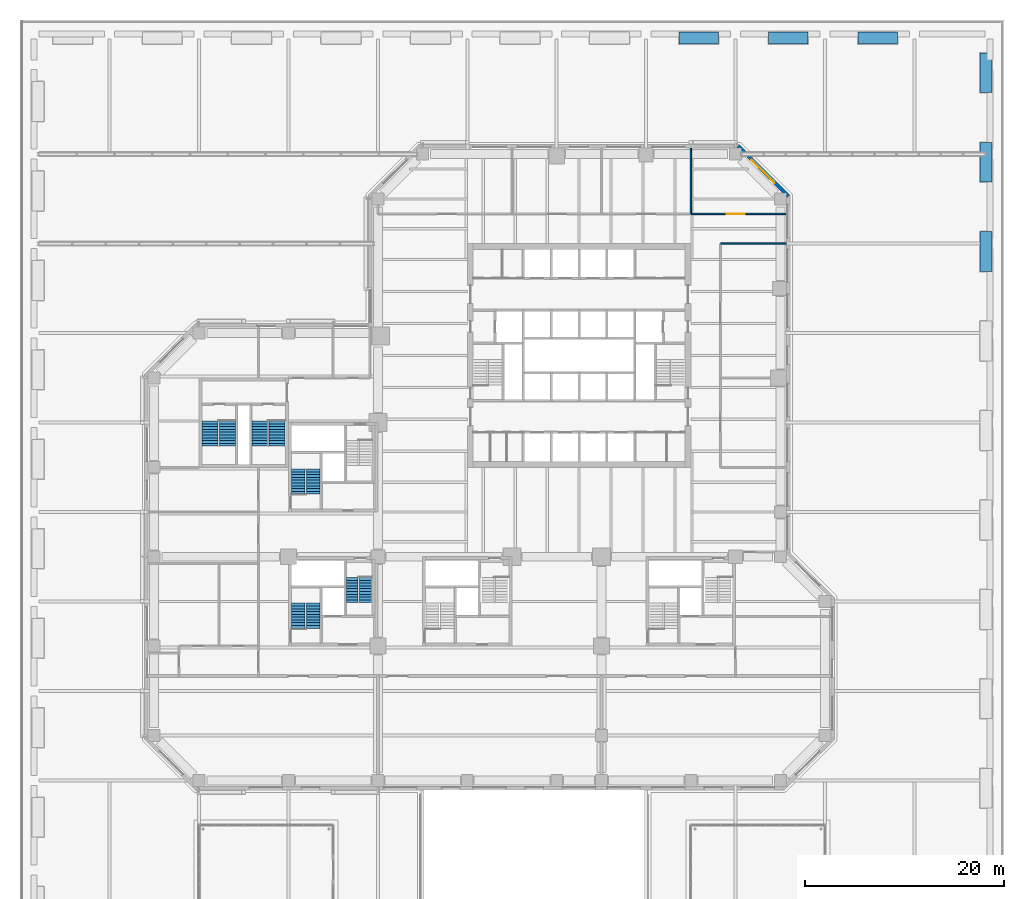
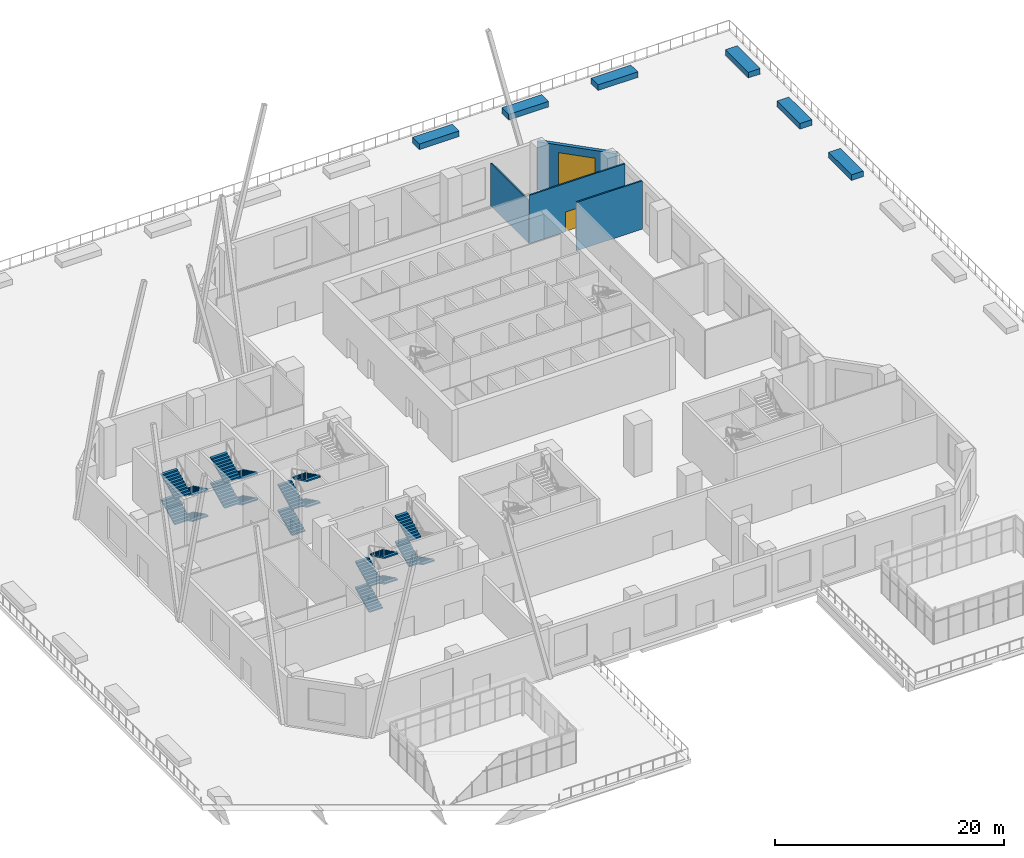
# One storey, part 27 of 33: 19 stair flights, 10 walls, 1 door, 1 window, 2 openings, 5 elements without a shape of their own.
"""IFC4 building model written with IfcOpenShell, lengths in metres."""

from ifc_helpers import new_model, si_unit, direction, frame, frame_2d, origin, place, context, subcontext, project, spatial, polyline, rectangle, outline, extrude, material, layer, layer_set, constituent, constituent_set, type_object, element, fill, aggregate, save


model = new_model("IFC4")

# Units and contexts
model_context = context("Model", 3, precision=1e-05, world=origin(), true_north=direction((0.0, 1.0)))
body_context = subcontext(model_context, "Body", "Model", "MODEL_VIEW")
ifc_project = project(units=[si_unit("LENGTHUNIT", "METRE"), si_unit("AREAUNIT", "SQUARE_METRE"), si_unit("VOLUMEUNIT", "CUBIC_METRE"), si_unit("PLANEANGLEUNIT", "RADIAN"), si_unit("MASSUNIT", "GRAM", prefix="KILO")], contexts=[model_context])

# Site, building, storey
site_placement = place(None, origin())
site = spatial("IfcSite", under=ifc_project, at=site_placement, CompositionType="ELEMENT")
building_placement = place(site_placement, origin())
building = spatial("IfcBuilding", under=site, at=building_placement, Name="Quoin Convention Tower", CompositionType="ELEMENT")
storey_placement = place(building_placement, frame((0.0, 0.0, 8.0)))
storey = spatial("IfcBuildingStorey", under=building, at=storey_placement, Name="L01", CompositionType="ELEMENT", Elevation=8.0)

# Wall, opening, window
ifc_material_1 = material(Name="Brick masonry", Category="masonry")
ifc_layer_1 = layer(ifc_material_1, 0.35009765625)
ifc_layer_set_1 = layer_set([ifc_layer_1], Name="Brick masonry")
wall_type_1 = type_object("IfcWallType", Name="Brick facade wall", PredefinedType="STANDARD", material=ifc_layer_set_1)
wall_1_placement = place(storey_placement, frame((77.326416015625, 76.769775390625, 0.0), z_axis=(0.0, 0.0, 1.0), x_axis=(-0.707106781187, 0.707106781187, 0.0)))
wall_1 = element("IfcWall", 1, at=wall_1_placement, inside=storey, type_object=wall_type_1, Name="fw-L01-76500_76500", PredefinedType="STANDARD", context=body_context, shape_type="SweptSolid", body=[
    extrude(rectangle(XDim=7.151123046875, YDim=0.35009765625, at=frame_2d((3.57568359375, 0.0))), origin(), (0.0, 0.0, 1.0), 5.125),
])
opening_1_placement = place(wall_1_placement, frame((1.925537109375, 0.0, 0.89990234375)))
opening_1 = element("IfcOpeningElement", 2, at=opening_1_placement, cuts=wall_1, Name="Opening W-04", PredefinedType="OPENING", context=body_context, shape_type="SweptSolid", body=[
    extrude(rectangle(XDim=3.300048828125, YDim=3.39990234375, at=frame_2d((1.64990234375, 1.699951171875))), frame((0.0, 0.18505859375, 0.0), z_axis=(0.0, -1.0, 0.0), x_axis=(1.0, 0.0, 0.0)), (0.0, 0.0, 1.0), 0.3701171875),
])
ifc_material_2 = material(Name="Aluminium", Category="aluminium")
ifc_constituent_1 = constituent(ifc_material_2, Name="Frame")
ifc_material_3 = material(Name="Insulated glass", Category="glass")
ifc_constituent_2 = constituent(ifc_material_3, Name="Glazing")
ifc_constituent_set = constituent_set(constituents=[ifc_constituent_1, ifc_constituent_2], Name="Aluminium")
window_type = type_object("IfcWindowType", Name="Convention window L01", PartitioningType="TRIPLE_PANEL_VERTICAL", PredefinedType="WINDOW", material=ifc_constituent_set)
window_placement = place(opening_1_placement, origin())
window = element("IfcWindow", 3, at=window_placement, inside=storey, type_object=window_type, Name="win-L01-74798_79298", OverallHeight=3.39990234375, OverallWidth=3.300048828125, PartitioningType="SINGLE_PANEL", PredefinedType="WINDOW", context=body_context, shape_type="SweptSolid", body=[
    extrude(rectangle(XDim=3.300048828125, YDim=3.39990234375, at=frame_2d((1.64990234375, 1.699951171875))), frame((0.0, 0.0849609375, 0.0), z_axis=(0.0, -1.0, 0.0), x_axis=(1.0, 0.0, 0.0)), (0.0, 0.0, 1.0), 0.06005859375),
])
fill(opening_1, window)

# Wall
ifc_material_4 = material(Name="Plasterboard")
ifc_layer_2 = layer(ifc_material_4, 0.012451171875, Name="Finish")
ifc_material_5 = material(Name="Steel stud framing", Category="steel")
ifc_layer_3 = layer(ifc_material_5, 0.125, Name="Structure")
ifc_layer_4 = layer(ifc_material_4, 0.012451171875, Name="Finish")
ifc_layer_set_2 = layer_set([ifc_layer_2, ifc_layer_3, ifc_layer_4], Name="Steel stud framing")
wall_type_2 = type_object("IfcWallType", Name="Partition wall 150", PredefinedType="PARTITIONING", material=ifc_layer_set_2)
wall_2_placement = place(storey_placement, frame((70.5, 72.0, 0.0), z_axis=(0.0, 0.0, 1.0), x_axis=(1.0, 0.0, 0.0)))
element("IfcWall", 4, at=wall_2_placement, inside=storey, type_object=wall_type_2, Name="pw-L01-039", PredefinedType="PARTITIONING", context=body_context, shape_type="SweptSolid", body=[
    extrude(rectangle(XDim=6.60009765625, YDim=0.14990234375, at=frame_2d((3.300048828125, 0.0))), origin(), (0.0, 0.0, 1.0), 5.14990234375),
])

# Wall, opening, door
wall_3_placement = place(storey_placement, frame((67.5, 75.0, 0.0), z_axis=(0.0, 0.0, 1.0), x_axis=(1.0, 0.0, 0.0)))
wall_3 = element("IfcWall", 5, at=wall_3_placement, inside=storey, type_object=wall_type_2, Name="pw-L01-046", PredefinedType="PARTITIONING", context=body_context, shape_type="SweptSolid", body=[
    extrude(rectangle(XDim=9.60009765625, YDim=0.14990234375, at=frame_2d((4.800048828125, 0.0))), origin(), (0.0, 0.0, 1.0), 5.14990234375),
])
opening_2_placement = place(wall_3_placement, frame((3.60009765625, 0.0, 0.0)))
opening_2 = element("IfcOpeningElement", 6, at=opening_2_placement, cuts=wall_3, Name="Opening DPD1-22", PredefinedType="OPENING", context=body_context, shape_type="SweptSolid", body=[
    extrude(rectangle(XDim=1.800048828125, YDim=2.10009765625, at=frame_2d((0.89990234375, 1.050048828125))), frame((0.0, 0.0849609375, 0.0), z_axis=(0.0, -1.0, 0.0), x_axis=(1.0, 0.0, 0.0)), (0.0, 0.0, 1.0), 0.169921875),
])
ifc_material_6 = material(Name="Steel door leaf", Category="steel")
door_type = type_object("IfcDoorType", Name="Double leaf door 1800", OperationType="DOUBLE_DOOR_SINGLE_SWING", PredefinedType="DOOR", material=ifc_material_6)
door_placement = place(opening_2_placement, origin())
door = element("IfcDoor", 7, at=door_placement, inside=storey, type_object=door_type, Name="dr-L01-022", OperationType="DOUBLE_DOOR_SINGLE_SWING", OverallHeight=2.10009765625, OverallWidth=1.800048828125, PredefinedType="DOOR", context=body_context, shape_type="SweptSolid", body=[
    extrude(rectangle(XDim=1.800048828125, YDim=2.10009765625, at=frame_2d((0.89990234375, 1.050048828125))), frame((0.0, 0.02490234375, 0.0), z_axis=(0.0, -1.0, 0.0), x_axis=(1.0, 0.0, 0.0)), (0.0, 0.0, 1.0), 0.050048828125),
])
fill(opening_2, door)

# Walls
ifc_layer_5 = layer(ifc_material_4, 0.012451171875, Name="Finish")
ifc_layer_6 = layer(ifc_material_5, 0.125, Name="Structure")
ifc_layer_7 = layer(ifc_material_4, 0.012451171875, Name="Finish")
ifc_layer_set_3 = layer_set([ifc_layer_5, ifc_layer_6, ifc_layer_7], Name="Steel stud framing")
wall_type_3 = type_object("IfcWallType", Name="Partition wall 150 under beam 612", PredefinedType="PARTITIONING", material=ifc_layer_set_3)
wall_4_placement = place(storey_placement, frame((67.5, 75.0, 0.0), z_axis=(0.0, 0.0, 1.0), x_axis=(0.0, 1.0, 0.0)))
element("IfcWall", 8, at=wall_4_placement, inside=storey, type_object=wall_type_3, Name="pw-L01-047", PredefinedType="PARTITIONING", context=body_context, shape_type="SweptSolid", body=[
    extrude(rectangle(XDim=6.60009765625, YDim=0.14990234375, at=frame_2d((3.300048828125, 0.0))), origin(), (0.0, 0.0, 1.0), 4.5380859375),
])
ifc_material_7 = material(Name="Concrete C40", Category="concrete")
ifc_layer_8 = layer(ifc_material_7, 1.199951171875)
ifc_layer_set_4 = layer_set([ifc_layer_8], Name="Concrete C40")
wall_type_4 = type_object("IfcWallType", Name="Planter bed", PredefinedType="STANDARD", material=ifc_layer_set_4)
for number, where, z_axis, x_axis, name in (
    (9, (66.300048828125, 92.699951171875, 0.0), (0.0, 0.0, 1.0), (1.0, 0.0, 0.0), "PLANTER L01 08"),
    (10, (75.300048828125, 92.699951171875, 0.0), (0.0, 0.0, 1.0), (1.0, 0.0, 0.0), "PLANTER L01 09"),
    (11, (84.300048828125, 92.699951171875, 0.0), (0.0, 0.0, 1.0), (1.0, 0.0, 0.0), "PLANTER L01 10"),
    (12, (97.199951171875, 91.199951171875, 0.0), (0.0, 0.0, 1.0), (0.0, -1.0, 0.0), "PLANTER L01 11"),
    (13, (97.199951171875, 82.199951171875, 0.0), (0.0, 0.0, 1.0), (0.0, -1.0, 0.0), "PLANTER L01 12"),
    (14, (97.199951171875, 73.199951171875, 0.0), (0.0, 0.0, 1.0), (0.0, -1.0, 0.0), "PLANTER L01 13"),
):
    element("IfcWall", number, at=place(storey_placement, frame(where, z_axis=z_axis, x_axis=x_axis)), inside=storey, type_object=wall_type_4, Name=name, PredefinedType="STANDARD", context=body_context, shape_type="SweptSolid", body=[
        extrude(rectangle(XDim=4.0, YDim=1.199951171875, at=frame_2d((2.0, 0.0))), origin(), (0.0, 0.0, 1.0), 0.60009765625),
    ])

# Stair, stair flights
stair_type_1 = type_object("IfcStairType", Name="Exit stair four-flight 1200", PredefinedType="DOUBLE_RETURN_STAIR", material=ifc_material_7)
stair_1_placement = place(storey_placement, origin())
stair_1 = element("IfcStair", 15, at=stair_1_placement, inside=storey, type_object=stair_type_1, Name="SD8 L01", PredefinedType="DOUBLE_RETURN_STAIR")
stair_flight_type_1 = type_object("IfcStairFlightType", Name="Stair flight 1200", PredefinedType="STRAIGHT", material=ifc_material_7)
stair_flight_1_placement = place(storey_placement, frame((34.77490234375, 38.39990234375, 0.0), z_axis=(0.0, 0.0, 1.0), x_axis=(0.0, -1.0, 0.0)))
stair_flight_1 = element("IfcStairFlight", 16, at=stair_flight_1_placement, type_object=stair_flight_type_1, Name="ST8 flight 1", NumberOfRisers=10, NumberOfTreads=9, PredefinedType="STRAIGHT", RiserHeight=0.1375, TreadLength=0.28, context=body_context, shape_type="SweptSolid", body=[
    extrude(outline(polyline([(0.0, 0.0), (0.0, 0.137451171875), (0.280029296875, 0.137451171875), (0.280029296875, 0.27490234375), (0.56005859375, 0.27490234375), (0.56005859375, 0.41259765625), (0.840087890625, 0.41259765625), (0.840087890625, 0.550048828125), (1.1201171875, 0.550048828125), (1.1201171875, 0.6875), (1.39990234375, 0.6875), (1.39990234375, 0.824951171875), (1.679931640625, 0.824951171875), (1.679931640625, 0.96240234375), (1.9599609375, 0.96240234375), (1.9599609375, 1.10009765625), (2.239990234375, 1.10009765625), (2.239990234375, 1.237548828125), (2.52001953125, 1.237548828125), (2.52001953125, 1.375), (2.52001953125, 1.103759765625), (0.2724609375, 0.0), (0.0, 0.0)])), frame((0.0, 0.60009765625, 0.0), z_axis=(0.0, -1.0, 0.0), x_axis=(1.0, 0.0, 0.0)), (0.0, 0.0, 1.0), 1.199951171875),
])
stair_flight_2_placement = place(storey_placement, frame((33.425048828125, 35.8798828125, 1.375), z_axis=(0.0, 0.0, 1.0), x_axis=(0.0, 1.0, 0.0)))
stair_flight_2 = element("IfcStairFlight", 17, at=stair_flight_2_placement, type_object=stair_flight_type_1, Name="ST8 flight 2", NumberOfRisers=10, NumberOfTreads=9, PredefinedType="STRAIGHT", RiserHeight=0.1375, TreadLength=0.28, context=body_context, shape_type="SweptSolid", body=[
    extrude(outline(polyline([(0.0, 0.0), (0.0, 0.137451171875), (0.280029296875, 0.137451171875), (0.280029296875, 0.27490234375), (0.56005859375, 0.27490234375), (0.56005859375, 0.41259765625), (0.840087890625, 0.41259765625), (0.840087890625, 0.550048828125), (1.1201171875, 0.550048828125), (1.1201171875, 0.6875), (1.39990234375, 0.6875), (1.39990234375, 0.824951171875), (1.679931640625, 0.824951171875), (1.679931640625, 0.96240234375), (1.9599609375, 0.96240234375), (1.9599609375, 1.10009765625), (2.239990234375, 1.10009765625), (2.239990234375, 1.237548828125), (2.52001953125, 1.237548828125), (2.52001953125, 1.375), (2.52001953125, 1.103759765625), (0.2724609375, 0.0), (0.0, 0.0)])), frame((0.0, 0.60009765625, 0.0), z_axis=(0.0, -1.0, 0.0), x_axis=(1.0, 0.0, 0.0)), (0.0, 0.0, 1.0), 1.199951171875),
])
stair_flight_3_placement = place(storey_placement, frame((33.425048828125, 35.8798828125, 4.125), z_axis=(0.0, 0.0, 1.0), x_axis=(0.0, 1.0, 0.0)))
stair_flight_3 = element("IfcStairFlight", 18, at=stair_flight_3_placement, type_object=stair_flight_type_1, Name="ST8 flight 4", NumberOfRisers=10, NumberOfTreads=9, PredefinedType="STRAIGHT", RiserHeight=0.1375, TreadLength=0.28, context=body_context, shape_type="SweptSolid", body=[
    extrude(outline(polyline([(0.0, 0.0), (0.0, 0.137451171875), (0.280029296875, 0.137451171875), (0.280029296875, 0.27490234375), (0.56005859375, 0.27490234375), (0.56005859375, 0.41259765625), (0.840087890625, 0.41259765625), (0.840087890625, 0.550048828125), (1.1201171875, 0.550048828125), (1.1201171875, 0.6875), (1.39990234375, 0.6875), (1.39990234375, 0.824951171875), (1.679931640625, 0.824951171875), (1.679931640625, 0.96240234375), (1.9599609375, 0.96240234375), (1.9599609375, 1.10009765625), (2.239990234375, 1.10009765625), (2.239990234375, 1.237548828125), (2.52001953125, 1.237548828125), (2.52001953125, 1.375), (2.52001953125, 1.103759765625), (0.2724609375, 0.0), (0.0, 0.0)])), frame((0.0, 0.60009765625, 0.0), z_axis=(0.0, -1.0, 0.0), x_axis=(1.0, 0.0, 0.0)), (0.0, 0.0, 1.0), 1.199951171875),
])
aggregate(stair_1, [stair_flight_1, stair_flight_2, stair_flight_3])

stair_type_2 = type_object("IfcStairType", Name="Exit stair four-flight 1350", PredefinedType="DOUBLE_RETURN_STAIR", material=ifc_material_7)
stair_2_placement = place(storey_placement, origin())
stair_2 = element("IfcStair", 19, at=stair_2_placement, inside=storey, type_object=stair_type_2, Name="SD3 L01", PredefinedType="DOUBLE_RETURN_STAIR")
stair_flight_type_2 = type_object("IfcStairFlightType", Name="Stair flight 1350", PredefinedType="STRAIGHT", material=ifc_material_7)
stair_flight_4_placement = place(storey_placement, frame((28.0, 46.800048828125, 0.0), z_axis=(0.0, 0.0, 1.0), x_axis=(0.0, 1.0, 0.0)))
stair_flight_4 = element("IfcStairFlight", 20, at=stair_flight_4_placement, type_object=stair_flight_type_2, Name="ST3 flight 1", NumberOfRisers=10, NumberOfTreads=9, PredefinedType="STRAIGHT", RiserHeight=0.1375, TreadLength=0.28, context=body_context, shape_type="SweptSolid", body=[
    extrude(outline(polyline([(0.0, 0.0), (0.0, 0.137451171875), (0.280029296875, 0.137451171875), (0.280029296875, 0.27490234375), (0.56005859375, 0.27490234375), (0.56005859375, 0.41259765625), (0.840087890625, 0.41259765625), (0.840087890625, 0.550048828125), (1.1201171875, 0.550048828125), (1.1201171875, 0.6875), (1.39990234375, 0.6875), (1.39990234375, 0.824951171875), (1.679931640625, 0.824951171875), (1.679931640625, 0.96240234375), (1.9599609375, 0.96240234375), (1.9599609375, 1.10009765625), (2.239990234375, 1.10009765625), (2.239990234375, 1.237548828125), (2.52001953125, 1.237548828125), (2.52001953125, 1.375), (2.52001953125, 1.103759765625), (0.2724609375, 0.0), (0.0, 0.0)])), frame((0.0, 0.675048828125, 0.0), z_axis=(0.0, -1.0, 0.0), x_axis=(1.0, 0.0, 0.0)), (0.0, 0.0, 1.0), 1.35009765625),
])
stair_flight_5_placement = place(storey_placement, frame((29.5, 49.320068359375, 1.375), z_axis=(0.0, 0.0, 1.0), x_axis=(0.0, -1.0, 0.0)))
stair_flight_5 = element("IfcStairFlight", 21, at=stair_flight_5_placement, type_object=stair_flight_type_2, Name="ST3 flight 2", NumberOfRisers=10, NumberOfTreads=9, PredefinedType="STRAIGHT", RiserHeight=0.1375, TreadLength=0.28, context=body_context, shape_type="SweptSolid", body=[
    extrude(outline(polyline([(0.0, 0.0), (0.0, 0.137451171875), (0.280029296875, 0.137451171875), (0.280029296875, 0.27490234375), (0.56005859375, 0.27490234375), (0.56005859375, 0.41259765625), (0.840087890625, 0.41259765625), (0.840087890625, 0.550048828125), (1.1201171875, 0.550048828125), (1.1201171875, 0.6875), (1.39990234375, 0.6875), (1.39990234375, 0.824951171875), (1.679931640625, 0.824951171875), (1.679931640625, 0.96240234375), (1.9599609375, 0.96240234375), (1.9599609375, 1.10009765625), (2.239990234375, 1.10009765625), (2.239990234375, 1.237548828125), (2.52001953125, 1.237548828125), (2.52001953125, 1.375), (2.52001953125, 1.103759765625), (0.2724609375, 0.0), (0.0, 0.0)])), frame((0.0, 0.675048828125, 0.0), z_axis=(0.0, -1.0, 0.0), x_axis=(1.0, 0.0, 0.0)), (0.0, 0.0, 1.0), 1.35009765625),
])
stair_flight_6_placement = place(storey_placement, frame((28.0, 46.800048828125, 2.75), z_axis=(0.0, 0.0, 1.0), x_axis=(0.0, 1.0, 0.0)))
stair_flight_6 = element("IfcStairFlight", 22, at=stair_flight_6_placement, type_object=stair_flight_type_2, Name="ST3 flight 3", NumberOfRisers=10, NumberOfTreads=9, PredefinedType="STRAIGHT", RiserHeight=0.1375, TreadLength=0.28, context=body_context, shape_type="SweptSolid", body=[
    extrude(outline(polyline([(0.0, 0.0), (0.0, 0.137451171875), (0.280029296875, 0.137451171875), (0.280029296875, 0.27490234375), (0.56005859375, 0.27490234375), (0.56005859375, 0.41259765625), (0.840087890625, 0.41259765625), (0.840087890625, 0.550048828125), (1.1201171875, 0.550048828125), (1.1201171875, 0.6875), (1.39990234375, 0.6875), (1.39990234375, 0.824951171875), (1.679931640625, 0.824951171875), (1.679931640625, 0.96240234375), (1.9599609375, 0.96240234375), (1.9599609375, 1.10009765625), (2.239990234375, 1.10009765625), (2.239990234375, 1.237548828125), (2.52001953125, 1.237548828125), (2.52001953125, 1.375), (2.52001953125, 1.103759765625), (0.2724609375, 0.0), (0.0, 0.0)])), frame((0.0, 0.675048828125, 0.0), z_axis=(0.0, -1.0, 0.0), x_axis=(1.0, 0.0, 0.0)), (0.0, 0.0, 1.0), 1.35009765625),
])
stair_flight_7_placement = place(storey_placement, frame((29.5, 49.320068359375, 4.125), z_axis=(0.0, 0.0, 1.0), x_axis=(0.0, -1.0, 0.0)))
stair_flight_7 = element("IfcStairFlight", 23, at=stair_flight_7_placement, type_object=stair_flight_type_2, Name="ST3 flight 4", NumberOfRisers=10, NumberOfTreads=9, PredefinedType="STRAIGHT", RiserHeight=0.1375, TreadLength=0.28, context=body_context, shape_type="SweptSolid", body=[
    extrude(outline(polyline([(0.0, 0.0), (0.0, 0.137451171875), (0.280029296875, 0.137451171875), (0.280029296875, 0.27490234375), (0.56005859375, 0.27490234375), (0.56005859375, 0.41259765625), (0.840087890625, 0.41259765625), (0.840087890625, 0.550048828125), (1.1201171875, 0.550048828125), (1.1201171875, 0.6875), (1.39990234375, 0.6875), (1.39990234375, 0.824951171875), (1.679931640625, 0.824951171875), (1.679931640625, 0.96240234375), (1.9599609375, 0.96240234375), (1.9599609375, 1.10009765625), (2.239990234375, 1.10009765625), (2.239990234375, 1.237548828125), (2.52001953125, 1.237548828125), (2.52001953125, 1.375), (2.52001953125, 1.103759765625), (0.2724609375, 0.0), (0.0, 0.0)])), frame((0.0, 0.675048828125, 0.0), z_axis=(0.0, -1.0, 0.0), x_axis=(1.0, 0.0, 0.0)), (0.0, 0.0, 1.0), 1.35009765625),
])
aggregate(stair_2, [stair_flight_4, stair_flight_5, stair_flight_6, stair_flight_7])

stair_3_placement = place(storey_placement, origin())
stair_3 = element("IfcStair", 24, at=stair_3_placement, inside=storey, type_object=stair_type_2, Name="SD7 L01", PredefinedType="DOUBLE_RETURN_STAIR")
stair_flight_8_placement = place(storey_placement, frame((28.0, 33.300048828125, 0.0), z_axis=(0.0, 0.0, 1.0), x_axis=(0.0, 1.0, 0.0)))
stair_flight_8 = element("IfcStairFlight", 25, at=stair_flight_8_placement, type_object=stair_flight_type_2, Name="ST7 flight 1", NumberOfRisers=10, NumberOfTreads=9, PredefinedType="STRAIGHT", RiserHeight=0.1375, TreadLength=0.28, context=body_context, shape_type="SweptSolid", body=[
    extrude(outline(polyline([(0.0, 0.0), (0.0, 0.137451171875), (0.280029296875, 0.137451171875), (0.280029296875, 0.27490234375), (0.56005859375, 0.27490234375), (0.56005859375, 0.41259765625), (0.840087890625, 0.41259765625), (0.840087890625, 0.550048828125), (1.1201171875, 0.550048828125), (1.1201171875, 0.6875), (1.39990234375, 0.6875), (1.39990234375, 0.824951171875), (1.679931640625, 0.824951171875), (1.679931640625, 0.96240234375), (1.9599609375, 0.96240234375), (1.9599609375, 1.10009765625), (2.239990234375, 1.10009765625), (2.239990234375, 1.237548828125), (2.52001953125, 1.237548828125), (2.52001953125, 1.375), (2.52001953125, 1.103759765625), (0.2724609375, 0.0), (0.0, 0.0)])), frame((0.0, 0.675048828125, 0.0), z_axis=(0.0, -1.0, 0.0), x_axis=(1.0, 0.0, 0.0)), (0.0, 0.0, 1.0), 1.35009765625),
])
stair_flight_9_placement = place(storey_placement, frame((29.5, 35.820068359375, 1.375), z_axis=(0.0, 0.0, 1.0), x_axis=(0.0, -1.0, 0.0)))
stair_flight_9 = element("IfcStairFlight", 26, at=stair_flight_9_placement, type_object=stair_flight_type_2, Name="ST7 flight 2", NumberOfRisers=10, NumberOfTreads=9, PredefinedType="STRAIGHT", RiserHeight=0.1375, TreadLength=0.28, context=body_context, shape_type="SweptSolid", body=[
    extrude(outline(polyline([(0.0, 0.0), (0.0, 0.137451171875), (0.280029296875, 0.137451171875), (0.280029296875, 0.27490234375), (0.56005859375, 0.27490234375), (0.56005859375, 0.41259765625), (0.840087890625, 0.41259765625), (0.840087890625, 0.550048828125), (1.1201171875, 0.550048828125), (1.1201171875, 0.6875), (1.39990234375, 0.6875), (1.39990234375, 0.824951171875), (1.679931640625, 0.824951171875), (1.679931640625, 0.96240234375), (1.9599609375, 0.96240234375), (1.9599609375, 1.10009765625), (2.239990234375, 1.10009765625), (2.239990234375, 1.237548828125), (2.52001953125, 1.237548828125), (2.52001953125, 1.375), (2.52001953125, 1.103759765625), (0.2724609375, 0.0), (0.0, 0.0)])), frame((0.0, 0.675048828125, 0.0), z_axis=(0.0, -1.0, 0.0), x_axis=(1.0, 0.0, 0.0)), (0.0, 0.0, 1.0), 1.35009765625),
])
stair_flight_10_placement = place(storey_placement, frame((28.0, 33.300048828125, 2.75), z_axis=(0.0, 0.0, 1.0), x_axis=(0.0, 1.0, 0.0)))
stair_flight_10 = element("IfcStairFlight", 27, at=stair_flight_10_placement, type_object=stair_flight_type_2, Name="ST7 flight 3", NumberOfRisers=10, NumberOfTreads=9, PredefinedType="STRAIGHT", RiserHeight=0.1375, TreadLength=0.28, context=body_context, shape_type="SweptSolid", body=[
    extrude(outline(polyline([(0.0, 0.0), (0.0, 0.137451171875), (0.280029296875, 0.137451171875), (0.280029296875, 0.27490234375), (0.56005859375, 0.27490234375), (0.56005859375, 0.41259765625), (0.840087890625, 0.41259765625), (0.840087890625, 0.550048828125), (1.1201171875, 0.550048828125), (1.1201171875, 0.6875), (1.39990234375, 0.6875), (1.39990234375, 0.824951171875), (1.679931640625, 0.824951171875), (1.679931640625, 0.96240234375), (1.9599609375, 0.96240234375), (1.9599609375, 1.10009765625), (2.239990234375, 1.10009765625), (2.239990234375, 1.237548828125), (2.52001953125, 1.237548828125), (2.52001953125, 1.375), (2.52001953125, 1.103759765625), (0.2724609375, 0.0), (0.0, 0.0)])), frame((0.0, 0.675048828125, 0.0), z_axis=(0.0, -1.0, 0.0), x_axis=(1.0, 0.0, 0.0)), (0.0, 0.0, 1.0), 1.35009765625),
])
stair_flight_11_placement = place(storey_placement, frame((29.5, 35.820068359375, 4.125), z_axis=(0.0, 0.0, 1.0), x_axis=(0.0, -1.0, 0.0)))
stair_flight_11 = element("IfcStairFlight", 28, at=stair_flight_11_placement, type_object=stair_flight_type_2, Name="ST7 flight 4", NumberOfRisers=10, NumberOfTreads=9, PredefinedType="STRAIGHT", RiserHeight=0.1375, TreadLength=0.28, context=body_context, shape_type="SweptSolid", body=[
    extrude(outline(polyline([(0.0, 0.0), (0.0, 0.137451171875), (0.280029296875, 0.137451171875), (0.280029296875, 0.27490234375), (0.56005859375, 0.27490234375), (0.56005859375, 0.41259765625), (0.840087890625, 0.41259765625), (0.840087890625, 0.550048828125), (1.1201171875, 0.550048828125), (1.1201171875, 0.6875), (1.39990234375, 0.6875), (1.39990234375, 0.824951171875), (1.679931640625, 0.824951171875), (1.679931640625, 0.96240234375), (1.9599609375, 0.96240234375), (1.9599609375, 1.10009765625), (2.239990234375, 1.10009765625), (2.239990234375, 1.237548828125), (2.52001953125, 1.237548828125), (2.52001953125, 1.375), (2.52001953125, 1.103759765625), (0.2724609375, 0.0), (0.0, 0.0)])), frame((0.0, 0.675048828125, 0.0), z_axis=(0.0, -1.0, 0.0), x_axis=(1.0, 0.0, 0.0)), (0.0, 0.0, 1.0), 1.35009765625),
])
aggregate(stair_3, [stair_flight_8, stair_flight_9, stair_flight_10, stair_flight_11])

stair_type_3 = type_object("IfcStairType", Name="Exit stair four-flight 1600", PredefinedType="DOUBLE_RETURN_STAIR", material=ifc_material_7)
stair_4_placement = place(storey_placement, origin())
stair_4 = element("IfcStair", 29, at=stair_4_placement, inside=storey, type_object=stair_type_3, Name="SD11 L01", PredefinedType="DOUBLE_RETURN_STAIR")
stair_flight_type_3 = type_object("IfcStairFlightType", Name="Stair flight 1600", PredefinedType="STRAIGHT", material=ifc_material_7)
stair_flight_12_placement = place(storey_placement, frame((20.875, 54.14990234375, 0.0), z_axis=(0.0, 0.0, 1.0), x_axis=(0.0, -1.0, 0.0)))
stair_flight_12 = element("IfcStairFlight", 30, at=stair_flight_12_placement, type_object=stair_flight_type_3, Name="ST11 flight 1", NumberOfRisers=10, NumberOfTreads=9, PredefinedType="STRAIGHT", RiserHeight=0.1375, TreadLength=0.28, context=body_context, shape_type="SweptSolid", body=[
    extrude(outline(polyline([(0.0, 0.0), (0.0, 0.137451171875), (0.280029296875, 0.137451171875), (0.280029296875, 0.27490234375), (0.56005859375, 0.27490234375), (0.56005859375, 0.41259765625), (0.840087890625, 0.41259765625), (0.840087890625, 0.550048828125), (1.1201171875, 0.550048828125), (1.1201171875, 0.6875), (1.39990234375, 0.6875), (1.39990234375, 0.824951171875), (1.679931640625, 0.824951171875), (1.679931640625, 0.96240234375), (1.9599609375, 0.96240234375), (1.9599609375, 1.10009765625), (2.239990234375, 1.10009765625), (2.239990234375, 1.237548828125), (2.52001953125, 1.237548828125), (2.52001953125, 1.375), (2.52001953125, 1.103759765625), (0.2724609375, 0.0), (0.0, 0.0)])), frame((0.0, 0.800048828125, 0.0), z_axis=(0.0, -1.0, 0.0), x_axis=(1.0, 0.0, 0.0)), (0.0, 0.0, 1.0), 1.60009765625),
])
stair_flight_13_placement = place(storey_placement, frame((19.125, 51.6298828125, 1.375), z_axis=(0.0, 0.0, 1.0), x_axis=(0.0, 1.0, 0.0)))
stair_flight_13 = element("IfcStairFlight", 31, at=stair_flight_13_placement, type_object=stair_flight_type_3, Name="ST11 flight 2", NumberOfRisers=10, NumberOfTreads=9, PredefinedType="STRAIGHT", RiserHeight=0.1375, TreadLength=0.28, context=body_context, shape_type="SweptSolid", body=[
    extrude(outline(polyline([(0.0, 0.0), (0.0, 0.137451171875), (0.280029296875, 0.137451171875), (0.280029296875, 0.27490234375), (0.56005859375, 0.27490234375), (0.56005859375, 0.41259765625), (0.840087890625, 0.41259765625), (0.840087890625, 0.550048828125), (1.1201171875, 0.550048828125), (1.1201171875, 0.6875), (1.39990234375, 0.6875), (1.39990234375, 0.824951171875), (1.679931640625, 0.824951171875), (1.679931640625, 0.96240234375), (1.9599609375, 0.96240234375), (1.9599609375, 1.10009765625), (2.239990234375, 1.10009765625), (2.239990234375, 1.237548828125), (2.52001953125, 1.237548828125), (2.52001953125, 1.375), (2.52001953125, 1.103759765625), (0.2724609375, 0.0), (0.0, 0.0)])), frame((0.0, 0.800048828125, 0.0), z_axis=(0.0, -1.0, 0.0), x_axis=(1.0, 0.0, 0.0)), (0.0, 0.0, 1.0), 1.60009765625),
])
stair_flight_14_placement = place(storey_placement, frame((20.875, 54.14990234375, 2.75), z_axis=(0.0, 0.0, 1.0), x_axis=(0.0, -1.0, 0.0)))
stair_flight_14 = element("IfcStairFlight", 32, at=stair_flight_14_placement, type_object=stair_flight_type_3, Name="ST11 flight 3", NumberOfRisers=10, NumberOfTreads=9, PredefinedType="STRAIGHT", RiserHeight=0.1375, TreadLength=0.28, context=body_context, shape_type="SweptSolid", body=[
    extrude(outline(polyline([(0.0, 0.0), (0.0, 0.137451171875), (0.280029296875, 0.137451171875), (0.280029296875, 0.27490234375), (0.56005859375, 0.27490234375), (0.56005859375, 0.41259765625), (0.840087890625, 0.41259765625), (0.840087890625, 0.550048828125), (1.1201171875, 0.550048828125), (1.1201171875, 0.6875), (1.39990234375, 0.6875), (1.39990234375, 0.824951171875), (1.679931640625, 0.824951171875), (1.679931640625, 0.96240234375), (1.9599609375, 0.96240234375), (1.9599609375, 1.10009765625), (2.239990234375, 1.10009765625), (2.239990234375, 1.237548828125), (2.52001953125, 1.237548828125), (2.52001953125, 1.375), (2.52001953125, 1.103759765625), (0.2724609375, 0.0), (0.0, 0.0)])), frame((0.0, 0.800048828125, 0.0), z_axis=(0.0, -1.0, 0.0), x_axis=(1.0, 0.0, 0.0)), (0.0, 0.0, 1.0), 1.60009765625),
])
stair_flight_15_placement = place(storey_placement, frame((19.125, 51.6298828125, 4.125), z_axis=(0.0, 0.0, 1.0), x_axis=(0.0, 1.0, 0.0)))
stair_flight_15 = element("IfcStairFlight", 33, at=stair_flight_15_placement, type_object=stair_flight_type_3, Name="ST11 flight 4", NumberOfRisers=10, NumberOfTreads=9, PredefinedType="STRAIGHT", RiserHeight=0.1375, TreadLength=0.28, context=body_context, shape_type="SweptSolid", body=[
    extrude(outline(polyline([(0.0, 0.0), (0.0, 0.137451171875), (0.280029296875, 0.137451171875), (0.280029296875, 0.27490234375), (0.56005859375, 0.27490234375), (0.56005859375, 0.41259765625), (0.840087890625, 0.41259765625), (0.840087890625, 0.550048828125), (1.1201171875, 0.550048828125), (1.1201171875, 0.6875), (1.39990234375, 0.6875), (1.39990234375, 0.824951171875), (1.679931640625, 0.824951171875), (1.679931640625, 0.96240234375), (1.9599609375, 0.96240234375), (1.9599609375, 1.10009765625), (2.239990234375, 1.10009765625), (2.239990234375, 1.237548828125), (2.52001953125, 1.237548828125), (2.52001953125, 1.375), (2.52001953125, 1.103759765625), (0.2724609375, 0.0), (0.0, 0.0)])), frame((0.0, 0.800048828125, 0.0), z_axis=(0.0, -1.0, 0.0), x_axis=(1.0, 0.0, 0.0)), (0.0, 0.0, 1.0), 1.60009765625),
])
aggregate(stair_4, [stair_flight_12, stair_flight_13, stair_flight_14, stair_flight_15])

stair_5_placement = place(storey_placement, origin())
stair_5 = element("IfcStair", 34, at=stair_5_placement, inside=storey, type_object=stair_type_3, Name="SD12 L01", PredefinedType="DOUBLE_RETURN_STAIR")
stair_flight_16_placement = place(storey_placement, frame((25.875, 54.14990234375, 0.0), z_axis=(0.0, 0.0, 1.0), x_axis=(0.0, -1.0, 0.0)))
stair_flight_16 = element("IfcStairFlight", 35, at=stair_flight_16_placement, type_object=stair_flight_type_3, Name="ST12 flight 1", NumberOfRisers=10, NumberOfTreads=9, PredefinedType="STRAIGHT", RiserHeight=0.1375, TreadLength=0.28, context=body_context, shape_type="SweptSolid", body=[
    extrude(outline(polyline([(0.0, 0.0), (0.0, 0.137451171875), (0.280029296875, 0.137451171875), (0.280029296875, 0.27490234375), (0.56005859375, 0.27490234375), (0.56005859375, 0.41259765625), (0.840087890625, 0.41259765625), (0.840087890625, 0.550048828125), (1.1201171875, 0.550048828125), (1.1201171875, 0.6875), (1.39990234375, 0.6875), (1.39990234375, 0.824951171875), (1.679931640625, 0.824951171875), (1.679931640625, 0.96240234375), (1.9599609375, 0.96240234375), (1.9599609375, 1.10009765625), (2.239990234375, 1.10009765625), (2.239990234375, 1.237548828125), (2.52001953125, 1.237548828125), (2.52001953125, 1.375), (2.52001953125, 1.103759765625), (0.2724609375, 0.0), (0.0, 0.0)])), frame((0.0, 0.800048828125, 0.0), z_axis=(0.0, -1.0, 0.0), x_axis=(1.0, 0.0, 0.0)), (0.0, 0.0, 1.0), 1.60009765625),
])
stair_flight_17_placement = place(storey_placement, frame((24.125, 51.6298828125, 1.375), z_axis=(0.0, 0.0, 1.0), x_axis=(0.0, 1.0, 0.0)))
stair_flight_17 = element("IfcStairFlight", 36, at=stair_flight_17_placement, type_object=stair_flight_type_3, Name="ST12 flight 2", NumberOfRisers=10, NumberOfTreads=9, PredefinedType="STRAIGHT", RiserHeight=0.1375, TreadLength=0.28, context=body_context, shape_type="SweptSolid", body=[
    extrude(outline(polyline([(0.0, 0.0), (0.0, 0.137451171875), (0.280029296875, 0.137451171875), (0.280029296875, 0.27490234375), (0.56005859375, 0.27490234375), (0.56005859375, 0.41259765625), (0.840087890625, 0.41259765625), (0.840087890625, 0.550048828125), (1.1201171875, 0.550048828125), (1.1201171875, 0.6875), (1.39990234375, 0.6875), (1.39990234375, 0.824951171875), (1.679931640625, 0.824951171875), (1.679931640625, 0.96240234375), (1.9599609375, 0.96240234375), (1.9599609375, 1.10009765625), (2.239990234375, 1.10009765625), (2.239990234375, 1.237548828125), (2.52001953125, 1.237548828125), (2.52001953125, 1.375), (2.52001953125, 1.103759765625), (0.2724609375, 0.0), (0.0, 0.0)])), frame((0.0, 0.800048828125, 0.0), z_axis=(0.0, -1.0, 0.0), x_axis=(1.0, 0.0, 0.0)), (0.0, 0.0, 1.0), 1.60009765625),
])
stair_flight_18_placement = place(storey_placement, frame((25.875, 54.14990234375, 2.75), z_axis=(0.0, 0.0, 1.0), x_axis=(0.0, -1.0, 0.0)))
stair_flight_18 = element("IfcStairFlight", 37, at=stair_flight_18_placement, type_object=stair_flight_type_3, Name="ST12 flight 3", NumberOfRisers=10, NumberOfTreads=9, PredefinedType="STRAIGHT", RiserHeight=0.1375, TreadLength=0.28, context=body_context, shape_type="SweptSolid", body=[
    extrude(outline(polyline([(0.0, 0.0), (0.0, 0.137451171875), (0.280029296875, 0.137451171875), (0.280029296875, 0.27490234375), (0.56005859375, 0.27490234375), (0.56005859375, 0.41259765625), (0.840087890625, 0.41259765625), (0.840087890625, 0.550048828125), (1.1201171875, 0.550048828125), (1.1201171875, 0.6875), (1.39990234375, 0.6875), (1.39990234375, 0.824951171875), (1.679931640625, 0.824951171875), (1.679931640625, 0.96240234375), (1.9599609375, 0.96240234375), (1.9599609375, 1.10009765625), (2.239990234375, 1.10009765625), (2.239990234375, 1.237548828125), (2.52001953125, 1.237548828125), (2.52001953125, 1.375), (2.52001953125, 1.103759765625), (0.2724609375, 0.0), (0.0, 0.0)])), frame((0.0, 0.800048828125, 0.0), z_axis=(0.0, -1.0, 0.0), x_axis=(1.0, 0.0, 0.0)), (0.0, 0.0, 1.0), 1.60009765625),
])
stair_flight_19_placement = place(storey_placement, frame((24.125, 51.6298828125, 4.125), z_axis=(0.0, 0.0, 1.0), x_axis=(0.0, 1.0, 0.0)))
stair_flight_19 = element("IfcStairFlight", 38, at=stair_flight_19_placement, type_object=stair_flight_type_3, Name="ST12 flight 4", NumberOfRisers=10, NumberOfTreads=9, PredefinedType="STRAIGHT", RiserHeight=0.1375, TreadLength=0.28, context=body_context, shape_type="SweptSolid", body=[
    extrude(outline(polyline([(0.0, 0.0), (0.0, 0.137451171875), (0.280029296875, 0.137451171875), (0.280029296875, 0.27490234375), (0.56005859375, 0.27490234375), (0.56005859375, 0.41259765625), (0.840087890625, 0.41259765625), (0.840087890625, 0.550048828125), (1.1201171875, 0.550048828125), (1.1201171875, 0.6875), (1.39990234375, 0.6875), (1.39990234375, 0.824951171875), (1.679931640625, 0.824951171875), (1.679931640625, 0.96240234375), (1.9599609375, 0.96240234375), (1.9599609375, 1.10009765625), (2.239990234375, 1.10009765625), (2.239990234375, 1.237548828125), (2.52001953125, 1.237548828125), (2.52001953125, 1.375), (2.52001953125, 1.103759765625), (0.2724609375, 0.0), (0.0, 0.0)])), frame((0.0, 0.800048828125, 0.0), z_axis=(0.0, -1.0, 0.0), x_axis=(1.0, 0.0, 0.0)), (0.0, 0.0, 1.0), 1.60009765625),
])
aggregate(stair_5, [stair_flight_16, stair_flight_17, stair_flight_18, stair_flight_19])

save(model, "model.ifc")
